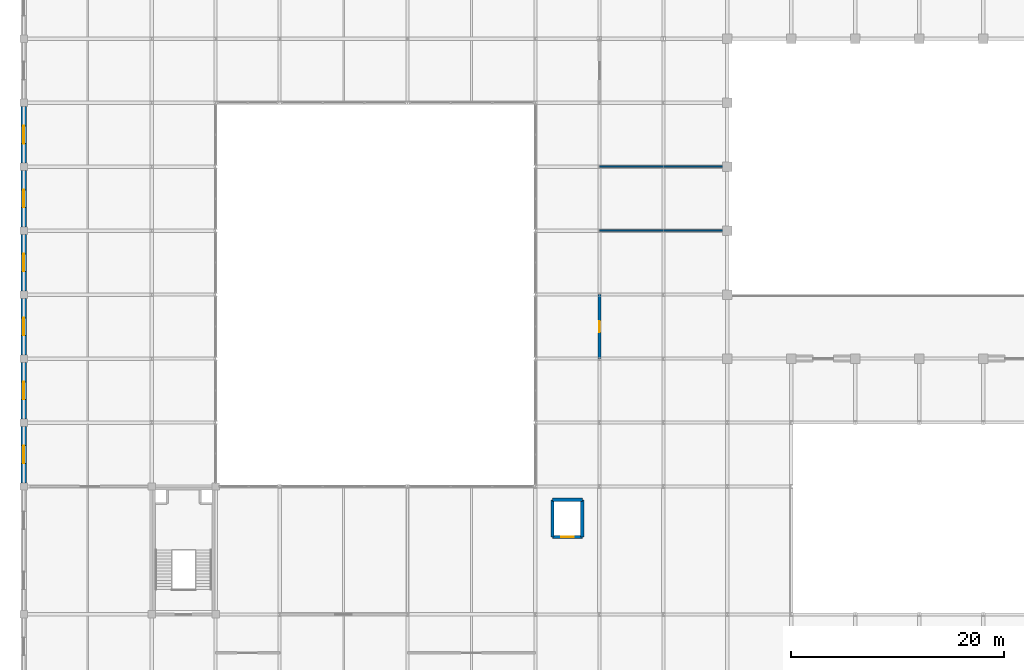
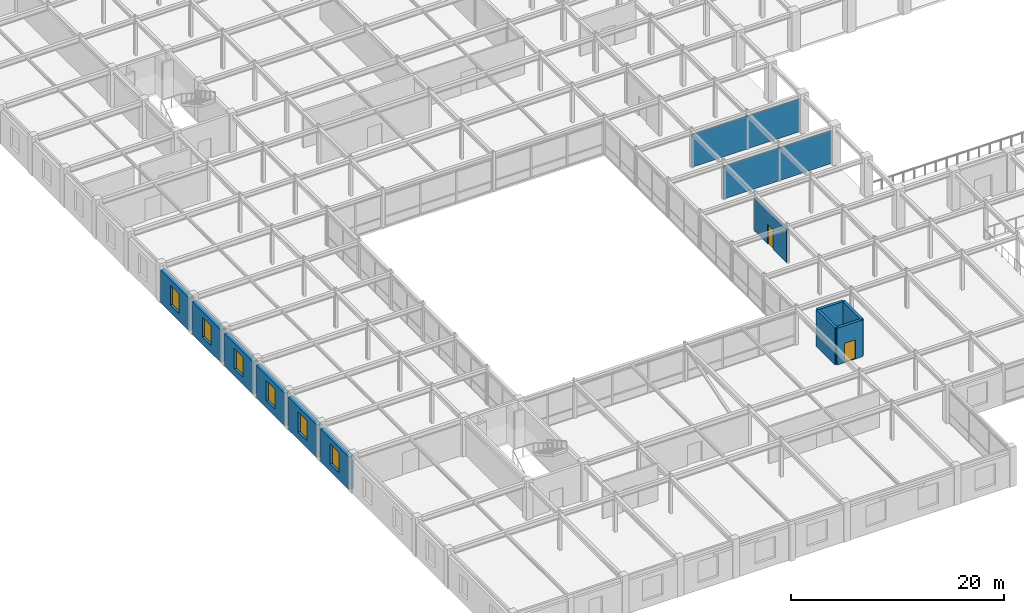
# One storey, part 98 of 108: 13 walls, 6 windows, 2 doors, 8 openings.
"""IFC4 building model written with IfcOpenShell, lengths in metres."""

from ifc_helpers import new_model, si_unit, direction, frame, frame_2d, origin, place, context, subcontext, project, spatial, rectangle, extrude, material, layer, layer_set, type_object, element, fill, save


model = new_model("IFC4")

# Units and contexts
model_context = context("Model", 3, precision=1e-05, world=origin(), true_north=direction((0.0, 1.0)))
body_context = subcontext(model_context, "Body", "Model", "MODEL_VIEW")
ifc_project = project(units=[si_unit("LENGTHUNIT", "METRE"), si_unit("AREAUNIT", "SQUARE_METRE"), si_unit("VOLUMEUNIT", "CUBIC_METRE"), si_unit("PLANEANGLEUNIT", "RADIAN"), si_unit("MASSUNIT", "GRAM", prefix="KILO")], contexts=[model_context])

# Site, building, storey
site_placement = place(None, origin())
site = spatial("IfcSite", under=ifc_project, at=site_placement, CompositionType="ELEMENT")
building_placement = place(site_placement, origin())
building = spatial("IfcBuilding", under=site, at=building_placement, Name="Zlatovratsky Civic Hall", CompositionType="ELEMENT")
storey_placement = place(building_placement, frame((0.0, 0.0, 12.0)))
storey = spatial("IfcBuildingStorey", under=building, at=storey_placement, Name="L03", CompositionType="ELEMENT", Elevation=12.0)

# Wall, opening, door
ifc_material_1 = material(Name="Acoustic ceramic blockwork", Category="masonry")
ifc_layer_1 = layer(ifc_material_1, 0.260009765625)
ifc_layer_set_1 = layer_set([ifc_layer_1], Name="Acoustic ceramic blockwork")
wall_type_1 = type_object("IfcWallType", Name="Wall_ArchiveCompartment_260", PredefinedType="PARTITIONING", material=ifc_layer_set_1)
wall_1_placement = place(storey_placement, frame((54.0, 42.0, 0.0), z_axis=(0.0, 0.0, 1.0), x_axis=(0.0, 1.0, 0.0)))
wall_1 = element("IfcWall", 1, at=wall_1_placement, inside=storey, type_object=wall_type_1, Name="WL-6187", PredefinedType="PARTITIONING", context=body_context, shape_type="SweptSolid", body=[
    extrude(rectangle(XDim=6.0, YDim=0.260009765625, at=frame_2d((3.0, 0.0))), origin(), (0.0, 0.0, 1.0), 3.738037109375),
])
opening_1_placement = place(wall_1_placement, frame((2.47509765625, 0.0, 0.0)))
opening_1 = element("IfcOpeningElement", 2, at=opening_1_placement, cuts=wall_1, Name="Opening D-24", PredefinedType="OPENING", context=body_context, shape_type="SweptSolid", body=[
    extrude(rectangle(XDim=1.050048828125, YDim=2.25, at=frame_2d((0.52490234375, 1.125))), frame((0.0, 0.14501953125, 0.0), z_axis=(0.0, -1.0, 0.0), x_axis=(1.0, 0.0, 0.0)), (0.0, 0.0, 1.0), 0.289794921875),
])
ifc_material_2 = material(Name="Solid oak joinery in steel frame", Category="steel")
door_type_1 = type_object("IfcDoorType", Name="Door_DirectorateOffice_1050x2250", OperationType="NOTDEFINED", PredefinedType="DOOR", material=ifc_material_2)
door_1_placement = place(opening_1_placement, origin())
door_1 = element("IfcDoor", 3, at=door_1_placement, inside=storey, type_object=door_type_1, Name="DR-5308", OperationType="SINGLE_SWING_LEFT", OverallHeight=2.25, OverallWidth=1.050048828125, PredefinedType="DOOR", context=body_context, shape_type="SweptSolid", body=[
    extrude(rectangle(XDim=1.050048828125, YDim=2.25, at=frame_2d((0.52490234375, 1.125))), frame((0.0, 0.02490234375, 0.0), z_axis=(0.0, -1.0, 0.0), x_axis=(1.0, 0.0, 0.0)), (0.0, 0.0, 1.0), 0.050048828125),
])
fill(opening_1, door_1)

# Walls
ifc_material_3 = material(Name="Fire-rated gypsum board framing", Category="gypsum")
ifc_layer_2 = layer(ifc_material_3, 0.139892578125)
ifc_layer_set_2 = layer_set([ifc_layer_2], Name="Fire-rated gypsum board framing")
wall_type_2 = type_object("IfcWallType", Name="Wall_OfficePartition_140", PredefinedType="PARTITIONING", material=ifc_layer_set_2)
for number, where, z_axis, x_axis, name in (
    (4, (54.0, 54.0, 0.0), (0.0, 0.0, 1.0), (1.0, 0.0, 0.0), "WL-6197"),
    (5, (54.0, 60.0, 0.0), (0.0, 0.0, 1.0), (1.0, 0.0, 0.0), "WL-6198"),
):
    element("IfcWall", number, at=place(storey_placement, frame(where, z_axis=z_axis, x_axis=x_axis)), inside=storey, type_object=wall_type_2, Name=name, PredefinedType="PARTITIONING", context=body_context, shape_type="SweptSolid", body=[
        extrude(rectangle(XDim=11.659912109375, YDim=0.139892578125, at=frame_2d((5.830078125, 0.0))), origin(), (0.0, 0.0, 1.0), 3.738037109375),
    ])

# Wall, opening, window
ifc_layer_3 = layer(ifc_material_1, 0.39990234375, Name="Backing")
ifc_material_4 = material(Name="Polished Karelian granite ashlar", Category="masonry")
ifc_layer_4 = layer(ifc_material_4, 0.139892578125, Name="Finish")
ifc_layer_set_3 = layer_set([ifc_layer_3, ifc_layer_4], Name="Acoustic ceramic blockwork")
wall_type_3 = type_object("IfcWallType", Name="Wall_PodiumGraniteArcade_540", PredefinedType="SOLIDWALL", material=ifc_layer_set_3)
wall_2_placement = place(storey_placement, frame((0.0, 30.35009765625, 0.0), z_axis=(0.0, 0.0, 1.0), x_axis=(0.0, 1.0, 0.0)))
wall_2 = element("IfcWall", 6, at=wall_2_placement, inside=storey, type_object=wall_type_3, Name="WL-0284", PredefinedType="SOLIDWALL", context=body_context, shape_type="SweptSolid", body=[
    extrude(rectangle(XDim=5.2998046875, YDim=0.5400390625, at=frame_2d((2.64990234375, 0.0))), origin(), (0.0, 0.0, 1.0), 3.77001953125),
])
opening_2_placement = place(wall_2_placement, frame((1.824951171875, 0.0, 0.85009765625)))
opening_2 = element("IfcOpeningElement", 7, at=opening_2_placement, cuts=wall_2, Name="Opening WN-09", PredefinedType="OPENING", context=body_context, shape_type="SweptSolid", body=[
    extrude(rectangle(XDim=1.64990234375, YDim=2.300048828125, at=frame_2d((0.824951171875, 1.14990234375))), frame((0.0, 0.284912109375, 0.0), z_axis=(0.0, -1.0, 0.0), x_axis=(1.0, 0.0, 0.0)), (0.0, 0.0, 1.0), 0.56982421875),
])
ifc_material_5 = material(Name="Low-E laminated double glazing", Category="glass")
window_type = type_object("IfcWindowType", Name="Window_CourtWingL03_1650x2300", PartitioningType="SINGLE_PANEL", PredefinedType="WINDOW", material=ifc_material_5)
window_1_placement = place(opening_2_placement, origin())
window_1 = element("IfcWindow", 8, at=window_1_placement, inside=storey, type_object=window_type, Name="WN-0220", OverallHeight=2.300048828125, OverallWidth=1.64990234375, PartitioningType="SINGLE_PANEL", PredefinedType="WINDOW", context=body_context, shape_type="SweptSolid", body=[
    extrude(rectangle(XDim=1.64990234375, YDim=2.300048828125, at=frame_2d((0.824951171875, 1.14990234375))), frame((0.0, 0.030029296875, 0.0), z_axis=(0.0, -1.0, 0.0), x_axis=(1.0, 0.0, 0.0)), (0.0, 0.0, 1.0), 0.06005859375),
])
fill(opening_2, window_1)

wall_3_placement = place(storey_placement, frame((0.0, 36.35009765625, 0.0), z_axis=(0.0, 0.0, 1.0), x_axis=(0.0, 1.0, 0.0)))
wall_3 = element("IfcWall", 9, at=wall_3_placement, inside=storey, type_object=wall_type_3, Name="WL-0285", PredefinedType="SOLIDWALL", context=body_context, shape_type="SweptSolid", body=[
    extrude(rectangle(XDim=5.2998046875, YDim=0.5400390625, at=frame_2d((2.64990234375, 0.0))), origin(), (0.0, 0.0, 1.0), 3.77001953125),
])
opening_3_placement = place(wall_3_placement, frame((1.824951171875, 0.0, 0.85009765625)))
opening_3 = element("IfcOpeningElement", 10, at=opening_3_placement, cuts=wall_3, Name="Opening WN-09", PredefinedType="OPENING", context=body_context, shape_type="SweptSolid", body=[
    extrude(rectangle(XDim=1.64990234375, YDim=2.300048828125, at=frame_2d((0.824951171875, 1.14990234375))), frame((0.0, 0.284912109375, 0.0), z_axis=(0.0, -1.0, 0.0), x_axis=(1.0, 0.0, 0.0)), (0.0, 0.0, 1.0), 0.56982421875),
])
window_2_placement = place(opening_3_placement, origin())
window_2 = element("IfcWindow", 11, at=window_2_placement, inside=storey, type_object=window_type, Name="WN-0221", OverallHeight=2.300048828125, OverallWidth=1.64990234375, PartitioningType="SINGLE_PANEL", PredefinedType="WINDOW", context=body_context, shape_type="SweptSolid", body=[
    extrude(rectangle(XDim=1.64990234375, YDim=2.300048828125, at=frame_2d((0.824951171875, 1.14990234375))), frame((0.0, 0.030029296875, 0.0), z_axis=(0.0, -1.0, 0.0), x_axis=(1.0, 0.0, 0.0)), (0.0, 0.0, 1.0), 0.06005859375),
])
fill(opening_3, window_2)

wall_4_placement = place(storey_placement, frame((0.0, 42.35009765625, 0.0), z_axis=(0.0, 0.0, 1.0), x_axis=(0.0, 1.0, 0.0)))
wall_4 = element("IfcWall", 12, at=wall_4_placement, inside=storey, type_object=wall_type_3, Name="WL-0286", PredefinedType="SOLIDWALL", context=body_context, shape_type="SweptSolid", body=[
    extrude(rectangle(XDim=5.2998046875, YDim=0.5400390625, at=frame_2d((2.64990234375, 0.0))), origin(), (0.0, 0.0, 1.0), 3.77001953125),
])
opening_4_placement = place(wall_4_placement, frame((1.824951171875, 0.0, 0.85009765625)))
opening_4 = element("IfcOpeningElement", 13, at=opening_4_placement, cuts=wall_4, Name="Opening WN-09", PredefinedType="OPENING", context=body_context, shape_type="SweptSolid", body=[
    extrude(rectangle(XDim=1.64990234375, YDim=2.300048828125, at=frame_2d((0.824951171875, 1.14990234375))), frame((0.0, 0.284912109375, 0.0), z_axis=(0.0, -1.0, 0.0), x_axis=(1.0, 0.0, 0.0)), (0.0, 0.0, 1.0), 0.56982421875),
])
window_3_placement = place(opening_4_placement, origin())
window_3 = element("IfcWindow", 14, at=window_3_placement, inside=storey, type_object=window_type, Name="WN-0222", OverallHeight=2.300048828125, OverallWidth=1.64990234375, PartitioningType="SINGLE_PANEL", PredefinedType="WINDOW", context=body_context, shape_type="SweptSolid", body=[
    extrude(rectangle(XDim=1.64990234375, YDim=2.300048828125, at=frame_2d((0.824951171875, 1.14990234375))), frame((0.0, 0.030029296875, 0.0), z_axis=(0.0, -1.0, 0.0), x_axis=(1.0, 0.0, 0.0)), (0.0, 0.0, 1.0), 0.06005859375),
])
fill(opening_4, window_3)

wall_5_placement = place(storey_placement, frame((0.0, 48.35009765625, 0.0), z_axis=(0.0, 0.0, 1.0), x_axis=(0.0, 1.0, 0.0)))
wall_5 = element("IfcWall", 15, at=wall_5_placement, inside=storey, type_object=wall_type_3, Name="WL-0287", PredefinedType="SOLIDWALL", context=body_context, shape_type="SweptSolid", body=[
    extrude(rectangle(XDim=5.2998046875, YDim=0.5400390625, at=frame_2d((2.64990234375, 0.0))), origin(), (0.0, 0.0, 1.0), 3.77001953125),
])
opening_5_placement = place(wall_5_placement, frame((1.824951171875, 0.0, 0.85009765625)))
opening_5 = element("IfcOpeningElement", 16, at=opening_5_placement, cuts=wall_5, Name="Opening WN-09", PredefinedType="OPENING", context=body_context, shape_type="SweptSolid", body=[
    extrude(rectangle(XDim=1.64990234375, YDim=2.300048828125, at=frame_2d((0.824951171875, 1.14990234375))), frame((0.0, 0.284912109375, 0.0), z_axis=(0.0, -1.0, 0.0), x_axis=(1.0, 0.0, 0.0)), (0.0, 0.0, 1.0), 0.56982421875),
])
window_4_placement = place(opening_5_placement, origin())
window_4 = element("IfcWindow", 17, at=window_4_placement, inside=storey, type_object=window_type, Name="WN-0223", OverallHeight=2.300048828125, OverallWidth=1.64990234375, PartitioningType="SINGLE_PANEL", PredefinedType="WINDOW", context=body_context, shape_type="SweptSolid", body=[
    extrude(rectangle(XDim=1.64990234375, YDim=2.300048828125, at=frame_2d((0.824951171875, 1.14990234375))), frame((0.0, 0.030029296875, 0.0), z_axis=(0.0, -1.0, 0.0), x_axis=(1.0, 0.0, 0.0)), (0.0, 0.0, 1.0), 0.06005859375),
])
fill(opening_5, window_4)

wall_6_placement = place(storey_placement, frame((0.0, 54.35009765625, 0.0), z_axis=(0.0, 0.0, 1.0), x_axis=(0.0, 1.0, 0.0)))
wall_6 = element("IfcWall", 18, at=wall_6_placement, inside=storey, type_object=wall_type_3, Name="WL-0288", PredefinedType="SOLIDWALL", context=body_context, shape_type="SweptSolid", body=[
    extrude(rectangle(XDim=5.2998046875, YDim=0.5400390625, at=frame_2d((2.64990234375, 0.0))), origin(), (0.0, 0.0, 1.0), 3.77001953125),
])
opening_6_placement = place(wall_6_placement, frame((1.824951171875, 0.0, 0.85009765625)))
opening_6 = element("IfcOpeningElement", 19, at=opening_6_placement, cuts=wall_6, Name="Opening WN-09", PredefinedType="OPENING", context=body_context, shape_type="SweptSolid", body=[
    extrude(rectangle(XDim=1.64990234375, YDim=2.300048828125, at=frame_2d((0.824951171875, 1.14990234375))), frame((0.0, 0.284912109375, 0.0), z_axis=(0.0, -1.0, 0.0), x_axis=(1.0, 0.0, 0.0)), (0.0, 0.0, 1.0), 0.56982421875),
])
window_5_placement = place(opening_6_placement, origin())
window_5 = element("IfcWindow", 20, at=window_5_placement, inside=storey, type_object=window_type, Name="WN-0224", OverallHeight=2.300048828125, OverallWidth=1.64990234375, PartitioningType="SINGLE_PANEL", PredefinedType="WINDOW", context=body_context, shape_type="SweptSolid", body=[
    extrude(rectangle(XDim=1.64990234375, YDim=2.300048828125, at=frame_2d((0.824951171875, 1.14990234375))), frame((0.0, 0.030029296875, 0.0), z_axis=(0.0, -1.0, 0.0), x_axis=(1.0, 0.0, 0.0)), (0.0, 0.0, 1.0), 0.06005859375),
])
fill(opening_6, window_5)

wall_7_placement = place(storey_placement, frame((0.0, 60.35009765625, 0.0), z_axis=(0.0, 0.0, 1.0), x_axis=(0.0, 1.0, 0.0)))
wall_7 = element("IfcWall", 21, at=wall_7_placement, inside=storey, type_object=wall_type_3, Name="WL-0289", PredefinedType="SOLIDWALL", context=body_context, shape_type="SweptSolid", body=[
    extrude(rectangle(XDim=5.2998046875, YDim=0.5400390625, at=frame_2d((2.64990234375, 0.0))), origin(), (0.0, 0.0, 1.0), 3.77001953125),
])
opening_7_placement = place(wall_7_placement, frame((1.824951171875, 0.0, 0.85009765625)))
opening_7 = element("IfcOpeningElement", 22, at=opening_7_placement, cuts=wall_7, Name="Opening WN-09", PredefinedType="OPENING", context=body_context, shape_type="SweptSolid", body=[
    extrude(rectangle(XDim=1.64990234375, YDim=2.300048828125, at=frame_2d((0.824951171875, 1.14990234375))), frame((0.0, 0.284912109375, 0.0), z_axis=(0.0, -1.0, 0.0), x_axis=(1.0, 0.0, 0.0)), (0.0, 0.0, 1.0), 0.56982421875),
])
window_6_placement = place(opening_7_placement, origin())
window_6 = element("IfcWindow", 23, at=window_6_placement, inside=storey, type_object=window_type, Name="WN-0225", OverallHeight=2.300048828125, OverallWidth=1.64990234375, PartitioningType="SINGLE_PANEL", PredefinedType="WINDOW", context=body_context, shape_type="SweptSolid", body=[
    extrude(rectangle(XDim=1.64990234375, YDim=2.300048828125, at=frame_2d((0.824951171875, 1.14990234375))), frame((0.0, 0.030029296875, 0.0), z_axis=(0.0, -1.0, 0.0), x_axis=(1.0, 0.0, 0.0)), (0.0, 0.0, 1.0), 0.06005859375),
])
fill(opening_7, window_6)

# Wall, opening, door
ifc_material_6 = material(Name="Concrete C35/45 (B40)", Category="concrete")
ifc_layer_5 = layer(ifc_material_6, 0.300048828125)
ifc_layer_set_4 = layer_set([ifc_layer_5], Name="Concrete C35/45 (B40)")
wall_type_4 = type_object("IfcWallType", Name="Wall_StairAndLiftShaft_300", PredefinedType="SHEAR", material=ifc_layer_set_4)
wall_8_placement = place(storey_placement, frame((49.60009765625, 25.25, 0.0), z_axis=(0.0, 0.0, 1.0), x_axis=(1.0, 0.0, 0.0)))
wall_8 = element("IfcWall", 24, at=wall_8_placement, inside=storey, type_object=wall_type_4, Name="WL-5981", PredefinedType="SHEAR", context=body_context, shape_type="SweptSolid", body=[
    extrude(rectangle(XDim=2.7998046875, YDim=0.300048828125, at=frame_2d((1.39990234375, 0.0))), origin(), (0.0, 0.0, 1.0), 4.219970703125),
])
opening_8_placement = place(wall_8_placement, frame((0.800048828125, 0.0, 0.0)))
opening_8 = element("IfcOpeningElement", 25, at=opening_8_placement, cuts=wall_8, Name="Opening LD-04", PredefinedType="OPENING", context=body_context, shape_type="SweptSolid", body=[
    extrude(rectangle(XDim=1.199951171875, YDim=2.199951171875, at=frame_2d((0.60009765625, 1.10009765625))), frame((0.0, 0.1650390625, 0.0), z_axis=(0.0, -1.0, 0.0), x_axis=(1.0, 0.0, 0.0)), (0.0, 0.0, 1.0), 0.329833984375),
])
ifc_material_7 = material(Name="Brushed stainless steel AISI 304", Category="steel")
door_type_2 = type_object("IfcDoorType", Name="Door_LiftLandingShuttle_1200x2200", OperationType="DOUBLE_DOOR_SLIDING", PredefinedType="DOOR", material=ifc_material_7)
door_2_placement = place(opening_8_placement, origin())
door_2 = element("IfcDoor", 26, at=door_2_placement, inside=storey, type_object=door_type_2, Name="Lift landing door LD-5198", OperationType="DOUBLE_DOOR_SLIDING", OverallHeight=2.199951171875, OverallWidth=1.199951171875, PredefinedType="DOOR", context=body_context, shape_type="SweptSolid", body=[
    extrude(rectangle(XDim=1.199951171875, YDim=2.199951171875, at=frame_2d((0.60009765625, 1.10009765625))), frame((0.0, 0.02490234375, 0.0), z_axis=(0.0, -1.0, 0.0), x_axis=(1.0, 0.0, 0.0)), (0.0, 0.0, 1.0), 0.050048828125),
])
fill(opening_8, door_2)

# Walls
wall_9_placement = place(storey_placement, frame((49.60009765625, 28.75, 0.0), z_axis=(0.0, 0.0, 1.0), x_axis=(1.0, 0.0, 0.0)))
element("IfcWall", 27, at=wall_9_placement, inside=storey, type_object=wall_type_4, Name="WL-5982", PredefinedType="SHEAR", context=body_context, shape_type="SweptSolid", body=[
    extrude(rectangle(XDim=2.7998046875, YDim=0.300048828125, at=frame_2d((1.39990234375, 0.0))), origin(), (0.0, 0.0, 1.0), 4.219970703125),
])
for number, where, z_axis, x_axis, name in (
    (28, (49.60009765625, 25.25, 0.0), (0.0, 0.0, 1.0), (0.0, 1.0, 0.0), "WL-5983"),
    (29, (52.39990234375, 25.25, 0.0), (0.0, 0.0, 1.0), (0.0, 1.0, 0.0), "WL-5984"),
):
    element("IfcWall", number, at=place(storey_placement, frame(where, z_axis=z_axis, x_axis=x_axis)), inside=storey, type_object=wall_type_4, Name=name, PredefinedType="SHEAR", context=body_context, shape_type="SweptSolid", body=[
        extrude(rectangle(XDim=3.5, YDim=0.300048828125, at=frame_2d((1.75, 0.0))), origin(), (0.0, 0.0, 1.0), 4.219970703125),
    ])

save(model, "model.ifc")
